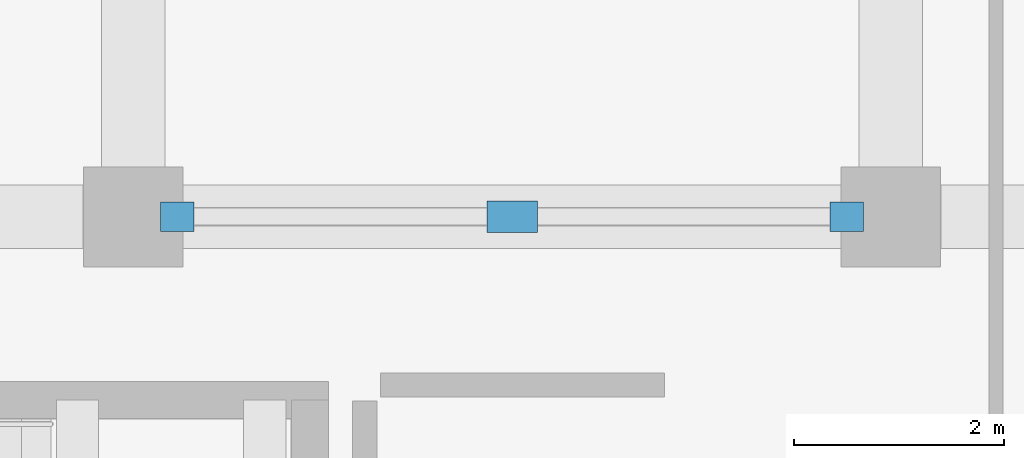
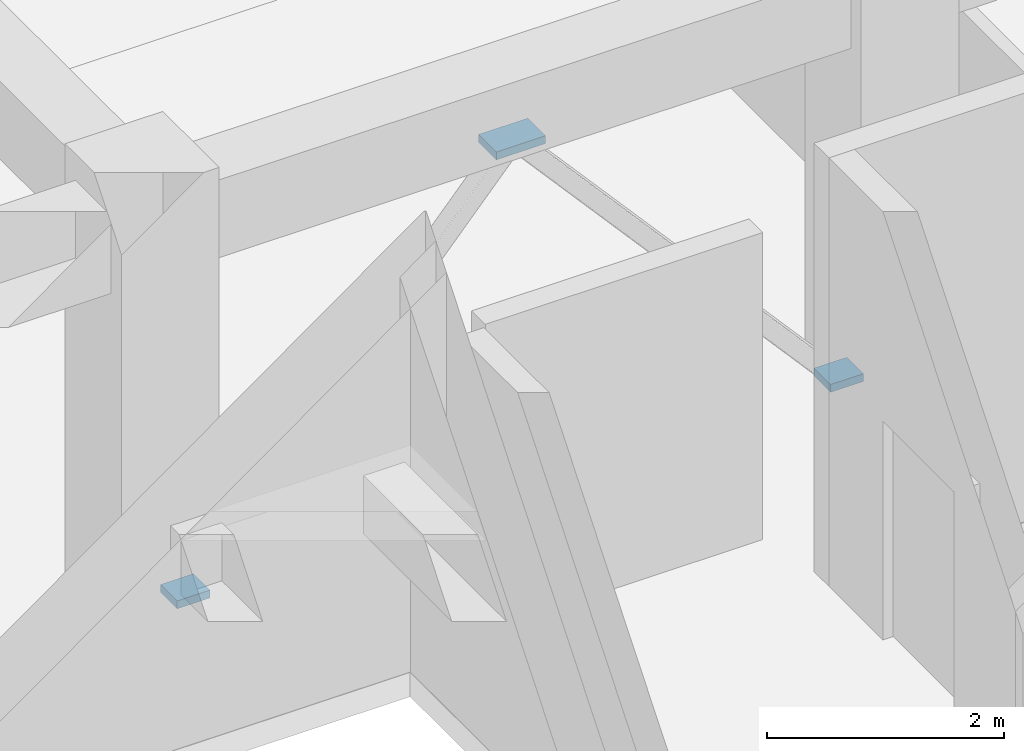
# One storey, part 45 of 54: 3 discrete accessories.
"""IFC4 building model written with IfcOpenShell, lengths in metres."""

from ifc_helpers import new_model, si_unit, direction, frame, origin, origin_2d, place, context, subcontext, project, spatial, rectangle, extrude, material, type_object, element, save


model = new_model("IFC4")

# Units and contexts
model_context = context("Model", 3, precision=1e-05, world=origin(), true_north=direction((0.0, 1.0)))
body_context = subcontext(model_context, "Body", "Model", "MODEL_VIEW")
ifc_project = project(units=[si_unit("LENGTHUNIT", "METRE"), si_unit("AREAUNIT", "SQUARE_METRE"), si_unit("VOLUMEUNIT", "CUBIC_METRE"), si_unit("PLANEANGLEUNIT", "RADIAN"), si_unit("MASSUNIT", "GRAM", prefix="KILO")], contexts=[model_context])

# Site, building, storey
site_placement = place(None, origin())
site = spatial("IfcSite", under=ifc_project, at=site_placement, CompositionType="ELEMENT")
building_placement = place(site_placement, origin())
building = spatial("IfcBuilding", under=site, at=building_placement, Name="Kazehaya Institute of Natural Sciences", CompositionType="ELEMENT")
storey_placement = place(building_placement, frame((0.0, 0.0, 10.43994140625)))
storey = spatial("IfcBuildingStorey", under=building, at=storey_placement, Name="L02", CompositionType="ELEMENT", Elevation=10.43994140625)

# Discrete accessories
ifc_material = material(Name="Structural steel SN490B", Category="steel")
discrete_accessory_type = type_object("IfcDiscreteAccessoryType", Name="ACC-STL-CAP", PredefinedType="BRACKET", material=ifc_material)
for number, where, z_axis, x_axis, name in (
    (1, (69.419921875, 28.39990234375, 0.010009765625), (0.0, 0.0, 1.0), (1.0, 0.0, 0.0), "L02 brace base gusset end plate 5"),
    (2, (75.780029296875, 28.39990234375, 0.010009765625), (0.0, 0.0, 1.0), (1.0, 0.0, 0.0), "L02 brace base gusset end plate 6"),
):
    element("IfcDiscreteAccessory", number, at=place(storey_placement, frame(where, z_axis=z_axis, x_axis=x_axis)), inside=storey, type_object=discrete_accessory_type, Name=name, PredefinedType="BRACKET", context=body_context, shape_type="SweptSolid", body=[
        extrude(rectangle(XDim=0.320068359375, YDim=0.280029296875, at=origin_2d()), origin(), (0.0, 0.0, 1.0), 0.080078125),
    ])
discrete_accessory_placement = place(storey_placement, frame((72.60009765625, 28.39990234375, 3.550048828125), z_axis=(0.0, 0.0, 1.0), x_axis=(1.0, 0.0, 0.0)))
element("IfcDiscreteAccessory", 3, at=discrete_accessory_placement, inside=storey, type_object=discrete_accessory_type, Name="L02 chevron brace apex gusset plate", PredefinedType="BRACKET", context=body_context, shape_type="SweptSolid", body=[
    extrude(rectangle(XDim=0.47998046875, YDim=0.300048828125, at=origin_2d()), origin(), (0.0, 0.0, 1.0), 0.080078125),
])

save(model, "model.ifc")
